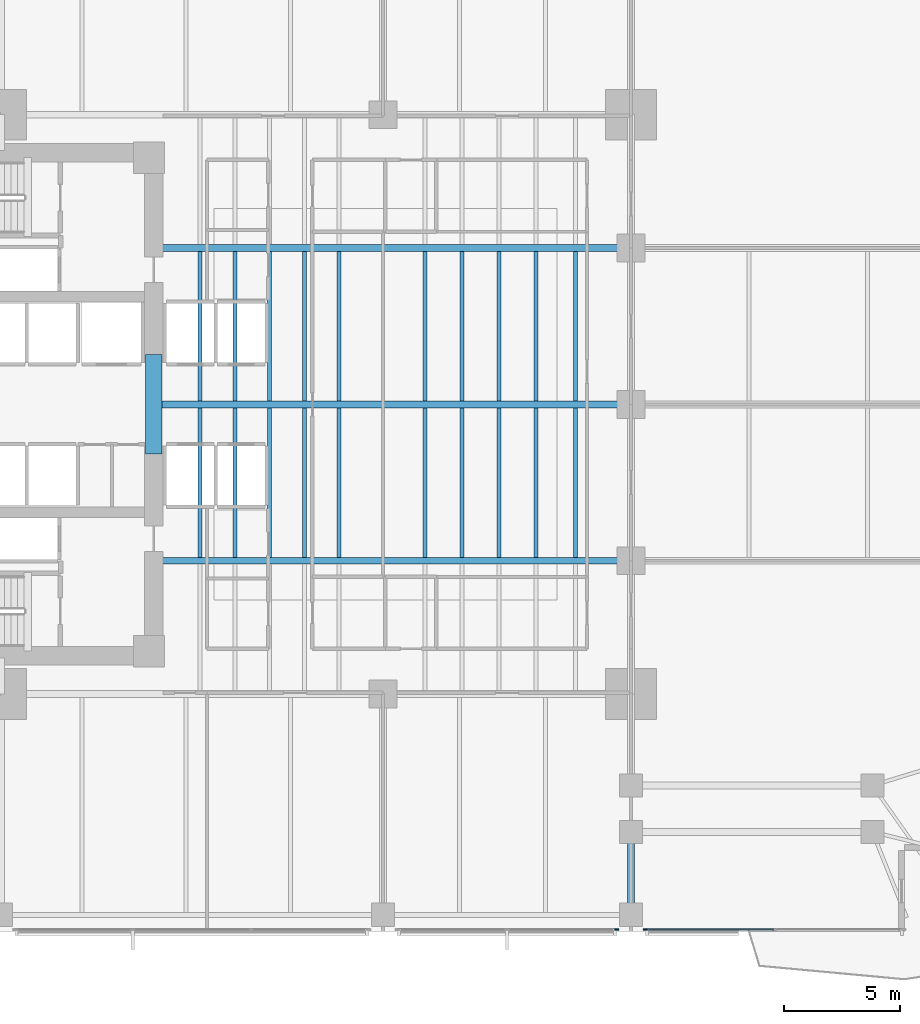
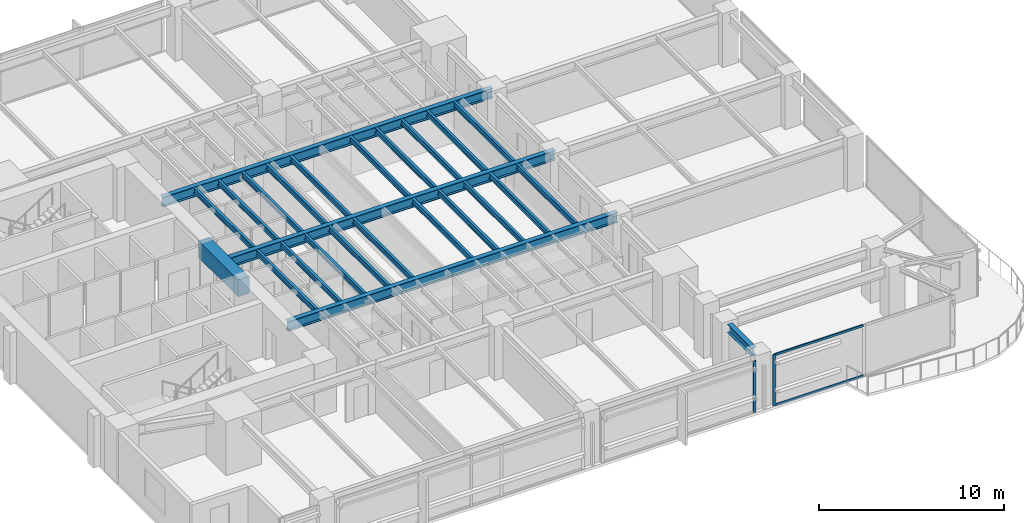
# One storey, part 3 of 15: 25 beams, 4 members, 2 elements without a shape of their own.
"""IFC4 building model written with IfcOpenShell, lengths in metres."""

from ifc_helpers import new_model, si_unit, direction, frame, origin, origin_2d, place, context, subcontext, project, spatial, rectangle, i_section, extrude, material, layer, layer_set, material_profile, profile_set, type_object, element, aggregate, save


model = new_model("IFC4")

# Units and contexts
model_context = context("Model", 3, precision=1e-05, world=origin(), true_north=direction((0.0, 1.0)))
body_context = subcontext(model_context, "Body", "Model", "MODEL_VIEW")
ifc_project = project(units=[si_unit("LENGTHUNIT", "METRE"), si_unit("AREAUNIT", "SQUARE_METRE"), si_unit("VOLUMEUNIT", "CUBIC_METRE"), si_unit("PLANEANGLEUNIT", "RADIAN"), si_unit("MASSUNIT", "GRAM", prefix="KILO")], contexts=[model_context])

# Site, building, storey
site_placement = place(None, origin())
site = spatial("IfcSite", under=ifc_project, at=site_placement, CompositionType="ELEMENT")
building_placement = place(site_placement, origin())
building = spatial("IfcBuilding", under=site, at=building_placement, Name="Kinhvarn Gate Tower", CompositionType="ELEMENT")
storey_placement = place(building_placement, frame((0.0, 0.0, 29.14990234375)))
storey = spatial("IfcBuildingStorey", under=building, at=storey_placement, Name="L06", CompositionType="ELEMENT", Elevation=29.14990234375)

# Beam
ifc_material_1 = material(Name="Concrete C70/85", Category="concrete")
ifc_material_profile_1 = material_profile(ifc_material_1, rectangle(XDim=0.699951171875, YDim=1.10009765625, at=origin_2d()), Name="RC 700x1100")
ifc_profile_set_1 = profile_set([ifc_material_profile_1], Name="Concrete C70/85")
beam_type_1 = type_object("IfcBeamType", Name="BM-CB-1100", PredefinedType="LINTEL", material=ifc_profile_set_1)
beam_1_placement = place(storey_placement, frame((17.60009765625, 23.10009765625, 2.820068359375), z_axis=(0.0, 1.0, 0.0), x_axis=(-1.0, 0.0, 0.0)))
element("IfcBeam", 1, at=beam_1_placement, inside=storey, type_object=beam_type_1, Name="Core East Portal Coupling Beam L06", PredefinedType="LINTEL", context=body_context, shape_type="SweptSolid", body=[
    extrude(rectangle(XDim=0.699951171875, YDim=1.10009765625, at=origin_2d()), origin(), (0.0, 0.0, 1.0), 4.2998046875),
])

# Curtain wall, member
ifc_material_2 = material(Name="Anodised aluminium AW-6063", Category="aluminium")
ifc_layer = layer(ifc_material_2, 0.179931640625)
ifc_layer_set = layer_set([ifc_layer], Name="Anodised aluminium AW-6063")
curtain_wall_type = type_object("IfcCurtainWallType", Name="CW-SYS-2", PredefinedType="NOTDEFINED", material=ifc_layer_set)
curtain_wall_1_placement = place(storey_placement, origin())
curtain_wall_1 = element("IfcCurtainWall", 2, at=curtain_wall_1_placement, inside=storey, type_object=curtain_wall_type, Name="Curtain Wall CW2 (L06)", PredefinedType="NOTDEFINED")
ifc_material_profile_2 = material_profile(ifc_material_2, rectangle(XDim=0.070068359375, YDim=0.179931640625, at=origin_2d()), Name="ALU 70x180")
ifc_profile_set_2 = profile_set([ifc_material_profile_2], Name="Anodised aluminium AW-6063")
member_type_1 = type_object("IfcMemberType", Name="CW-MUL-180", PredefinedType="MULLION", material=ifc_profile_set_2)
member_1_placement = place(storey_placement, frame((37.5849609375, 2.590087890625, 0.0), z_axis=(0.0, 0.0, 1.0), x_axis=(0.0, 1.0, 0.0)))
member_1 = element("IfcMember", 3, at=member_1_placement, type_object=member_type_1, Name="CW2 mullion 3", PredefinedType="MULLION", context=body_context, shape_type="SweptSolid", body=[
    extrude(rectangle(XDim=0.070068359375, YDim=0.179931640625, at=origin_2d()), origin(), (0.0, 0.0, 1.0), 3.3701171875),
])
aggregate(curtain_wall_1, [member_1])

# Curtain wall, members
curtain_wall_2_placement = place(storey_placement, origin())
curtain_wall_2 = element("IfcCurtainWall", 4, at=curtain_wall_2_placement, inside=storey, type_object=curtain_wall_type, Name="Curtain Wall CW2 (L06)", PredefinedType="NOTDEFINED")
member_2_placement = place(storey_placement, frame((38.81494140625, 2.590087890625, 0.0), z_axis=(0.0, 0.0, 1.0), x_axis=(0.0, 1.0, 0.0)))
member_2 = element("IfcMember", 5, at=member_2_placement, type_object=member_type_1, Name="CW2 mullion 1", PredefinedType="MULLION", context=body_context, shape_type="SweptSolid", body=[
    extrude(rectangle(XDim=0.070068359375, YDim=0.179931640625, at=origin_2d()), origin(), (0.0, 0.0, 1.0), 3.3701171875),
])
ifc_material_profile_3 = material_profile(ifc_material_2, rectangle(XDim=0.070068359375, YDim=0.139892578125, at=origin_2d()), Name="ALU 70x140")
ifc_profile_set_3 = profile_set([ifc_material_profile_3], Name="Anodised aluminium AW-6063")
member_type_2 = type_object("IfcMemberType", Name="CW-TRN-140", PredefinedType="USERDEFINED", material=ifc_profile_set_3)
member_3_placement = place(storey_placement, frame((38.85009765625, 2.590087890625, 0.03515625), z_axis=(1.0, 0.0, 0.0), x_axis=(0.0, 1.0, 0.0)))
member_3 = element("IfcMember", 6, at=member_3_placement, type_object=member_type_2, Name="CW2 transom 1.1", ObjectType="TRANSOM", PredefinedType="USERDEFINED", context=body_context, shape_type="SweptSolid", body=[
    extrude(rectangle(XDim=0.070068359375, YDim=0.139892578125, at=origin_2d()), origin(), (0.0, 0.0, 1.0), 5.5048828125),
])
member_4_placement = place(storey_placement, frame((38.85009765625, 2.590087890625, 3.335205078125), z_axis=(1.0, 0.0, 0.0), x_axis=(0.0, 1.0, 0.0)))
member_4 = element("IfcMember", 7, at=member_4_placement, type_object=member_type_2, Name="CW2 transom 1.2", ObjectType="TRANSOM", PredefinedType="USERDEFINED", context=body_context, shape_type="SweptSolid", body=[
    extrude(rectangle(XDim=0.070068359375, YDim=0.139892578125, at=origin_2d()), origin(), (0.0, 0.0, 1.0), 5.5048828125),
])
aggregate(curtain_wall_2, [member_2, member_3, member_4])

# Beams
ifc_material_3 = material(Name="Steel S355", Category="steel")
ifc_material_profile_4 = material_profile(ifc_material_3, i_section(OverallWidth=0.300048828125, OverallDepth=0.550048828125, WebThickness=0.014892578125, FlangeThickness=0.029052734375, at=origin_2d()), Name="HEB 550")
ifc_profile_set_4 = profile_set([ifc_material_profile_4], Name="Steel S355")
beam_type_2 = type_object("IfcBeamType", Name="STL-HEB550", PredefinedType="BEAM", material=ifc_profile_set_4)
beam_2_placement = place(storey_placement, frame((38.199951171875, 3.705078125, 3.09521484375), z_axis=(0.0, 1.0, 0.0), x_axis=(-1.0, 0.0, 0.0)))
element("IfcBeam", 8, at=beam_2_placement, inside=storey, type_object=beam_type_2, Name="Floor Beam PG-15 (L06 MCE-S-A0)", PredefinedType="BEAM", context=body_context, shape_type="SweptSolid", body=[
    extrude(i_section(OverallWidth=0.300048828125, OverallDepth=0.550048828125, WebThickness=0.014892578125, FlangeThickness=0.029052734375, at=origin_2d()), origin(), (0.0, 0.0, 1.0), 2.60986328125),
])
ifc_material_profile_5 = material_profile(ifc_material_3, i_section(OverallWidth=0.300048828125, OverallDepth=0.64990234375, WebThickness=0.01611328125, FlangeThickness=0.031005859375, at=origin_2d()), Name="HEB 650")
ifc_profile_set_5 = profile_set([ifc_material_profile_5], Name="Steel S355")
beam_type_3 = type_object("IfcBeamType", Name="STL-HEB650", PredefinedType="BEAM", material=ifc_profile_set_5)
beam_3_placement = place(storey_placement, frame((17.64990234375, 18.5, 3.045166015625), z_axis=(1.0, 0.0, 0.0), x_axis=(0.0, 1.0, 0.0)))
element("IfcBeam", 9, at=beam_3_placement, inside=storey, type_object=beam_type_3, Name="Floor Beam PG-17 (L06 EW1-Y18)", PredefinedType="BEAM", context=body_context, shape_type="SweptSolid", body=[
    extrude(i_section(OverallWidth=0.300048828125, OverallDepth=0.64990234375, WebThickness=0.01611328125, FlangeThickness=0.031005859375, at=origin_2d()), origin(), (0.0, 0.0, 1.0), 20.550048828125),
])
beam_4_placement = place(storey_placement, frame((17.949951171875, 25.25, 3.045166015625), z_axis=(1.0, 0.0, 0.0), x_axis=(0.0, 1.0, 0.0)))
element("IfcBeam", 10, at=beam_4_placement, inside=storey, type_object=beam_type_3, Name="Floor Beam PG-17 (L06 EW1-Y25)", PredefinedType="BEAM", context=body_context, shape_type="SweptSolid", body=[
    extrude(i_section(OverallWidth=0.300048828125, OverallDepth=0.64990234375, WebThickness=0.01611328125, FlangeThickness=0.031005859375, at=origin_2d()), origin(), (0.0, 0.0, 1.0), 20.25),
])
beam_5_placement = place(storey_placement, frame((17.64990234375, 32.0, 3.045166015625), z_axis=(1.0, 0.0, 0.0), x_axis=(0.0, 1.0, 0.0)))
element("IfcBeam", 11, at=beam_5_placement, inside=storey, type_object=beam_type_3, Name="Floor Beam PG-17 (L06 EW1-Y32)", PredefinedType="BEAM", context=body_context, shape_type="SweptSolid", body=[
    extrude(i_section(OverallWidth=0.300048828125, OverallDepth=0.64990234375, WebThickness=0.01611328125, FlangeThickness=0.031005859375, at=origin_2d()), origin(), (0.0, 0.0, 1.0), 20.550048828125),
])
ifc_material_profile_6 = material_profile(ifc_material_3, i_section(OverallWidth=0.169921875, OverallDepth=0.360107421875, WebThickness=0.008056640625, FlangeThickness=0.0126953125, at=origin_2d()), Name="IPE 360")
ifc_profile_set_6 = profile_set([ifc_material_profile_6], Name="Steel S355")
beam_type_4 = type_object("IfcBeamType", Name="STL-IPE360", PredefinedType="JOIST", material=ifc_profile_set_6)
for number, where, z_axis, x_axis, name in (
    (12, (19.60009765625, 18.64990234375, 3.190185546875), (0.0, 1.0, 0.0), (-1.0, 0.0, 0.0), "Floor Joist SB-04 (L06 JC-X196-1)"),
    (13, (19.60009765625, 25.39990234375, 3.190185546875), (0.0, 1.0, 0.0), (-1.0, 0.0, 0.0), "Floor Joist SB-04 (L06 JC-X196-2)"),
    (14, (21.10009765625, 18.64990234375, 3.190185546875), (0.0, 1.0, 0.0), (-1.0, 0.0, 0.0), "Floor Joist SB-04 (L06 JC-X211-1)"),
    (15, (21.10009765625, 25.39990234375, 3.190185546875), (0.0, 1.0, 0.0), (-1.0, 0.0, 0.0), "Floor Joist SB-04 (L06 JC-X211-2)"),
    (16, (22.60009765625, 18.64990234375, 3.190185546875), (0.0, 1.0, 0.0), (-1.0, 0.0, 0.0), "Floor Joist SB-04 (L06 JC-X226-1)"),
    (17, (22.60009765625, 25.39990234375, 3.190185546875), (0.0, 1.0, 0.0), (-1.0, 0.0, 0.0), "Floor Joist SB-04 (L06 JC-X226-2)"),
    (18, (24.10009765625, 18.64990234375, 3.190185546875), (0.0, 1.0, 0.0), (-1.0, 0.0, 0.0), "Floor Joist SB-04 (L06 JC-X241-1)"),
    (19, (24.10009765625, 25.39990234375, 3.190185546875), (0.0, 1.0, 0.0), (-1.0, 0.0, 0.0), "Floor Joist SB-04 (L06 JC-X241-2)"),
    (20, (25.60009765625, 18.64990234375, 3.190185546875), (0.0, 1.0, 0.0), (-1.0, 0.0, 0.0), "Floor Joist SB-04 (L06 JC-X256-1)"),
    (21, (25.60009765625, 25.39990234375, 3.190185546875), (0.0, 1.0, 0.0), (-1.0, 0.0, 0.0), "Floor Joist SB-04 (L06 JC-X256-2)"),
    (22, (29.300048828125, 18.64990234375, 3.190185546875), (0.0, 1.0, 0.0), (-1.0, 0.0, 0.0), "Floor Joist SB-04 (L06 JC-X293-1)"),
    (23, (29.300048828125, 25.39990234375, 3.190185546875), (0.0, 1.0, 0.0), (-1.0, 0.0, 0.0), "Floor Joist SB-04 (L06 JC-X293-2)"),
    (24, (30.89990234375, 18.64990234375, 3.190185546875), (0.0, 1.0, 0.0), (-1.0, 0.0, 0.0), "Floor Joist SB-04 (L06 JC-X309-1)"),
    (25, (30.89990234375, 25.39990234375, 3.190185546875), (0.0, 1.0, 0.0), (-1.0, 0.0, 0.0), "Floor Joist SB-04 (L06 JC-X309-2)"),
    (26, (32.5, 18.64990234375, 3.190185546875), (0.0, 1.0, 0.0), (-1.0, 0.0, 0.0), "Floor Joist SB-04 (L06 JC-X325-1)"),
    (27, (32.5, 25.39990234375, 3.190185546875), (0.0, 1.0, 0.0), (-1.0, 0.0, 0.0), "Floor Joist SB-04 (L06 JC-X325-2)"),
    (28, (34.10009765625, 18.64990234375, 3.190185546875), (0.0, 1.0, 0.0), (-1.0, 0.0, 0.0), "Floor Joist SB-04 (L06 JC-X341-1)"),
    (29, (34.10009765625, 25.39990234375, 3.190185546875), (0.0, 1.0, 0.0), (-1.0, 0.0, 0.0), "Floor Joist SB-04 (L06 JC-X341-2)"),
    (30, (35.800048828125, 18.64990234375, 3.190185546875), (0.0, 1.0, 0.0), (-1.0, 0.0, 0.0), "Floor Joist SB-04 (L06 JC-X358-1)"),
    (31, (35.800048828125, 25.39990234375, 3.190185546875), (0.0, 1.0, 0.0), (-1.0, 0.0, 0.0), "Floor Joist SB-04 (L06 JC-X358-2)"),
):
    element("IfcBeam", number, at=place(storey_placement, frame(where, z_axis=z_axis, x_axis=x_axis)), inside=storey, type_object=beam_type_4, Name=name, PredefinedType="JOIST", context=body_context, shape_type="SweptSolid", body=[
        extrude(i_section(OverallWidth=0.169921875, OverallDepth=0.360107421875, WebThickness=0.008056640625, FlangeThickness=0.0126953125, at=origin_2d()), origin(), (0.0, 0.0, 1.0), 6.4501953125),
    ])

save(model, "model.ifc")
